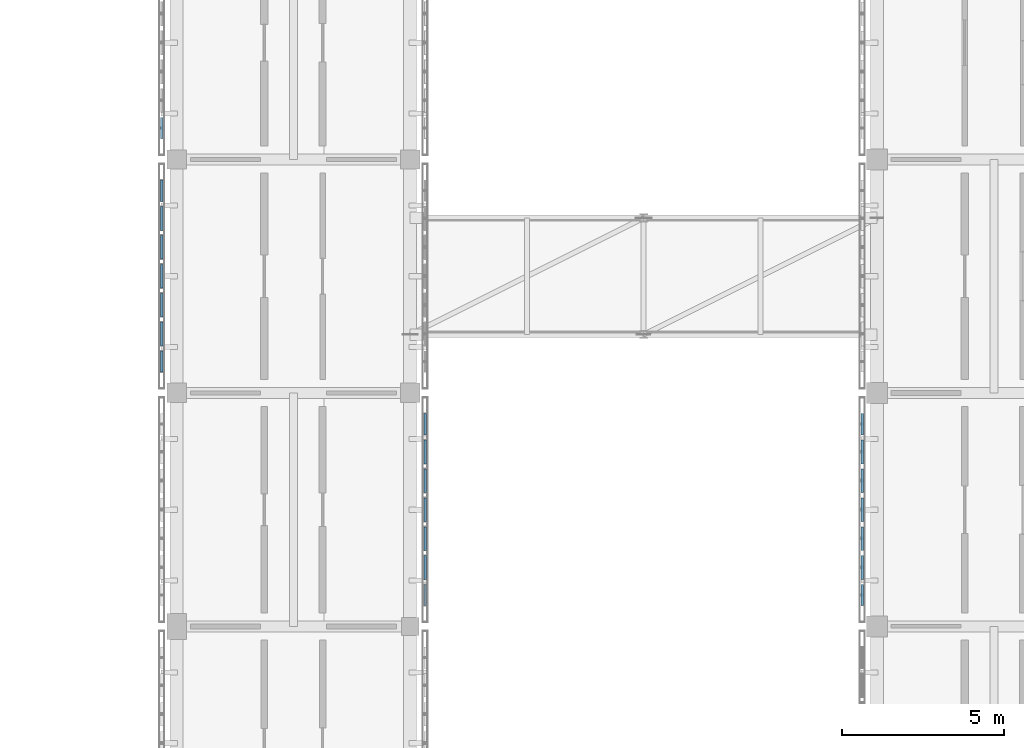
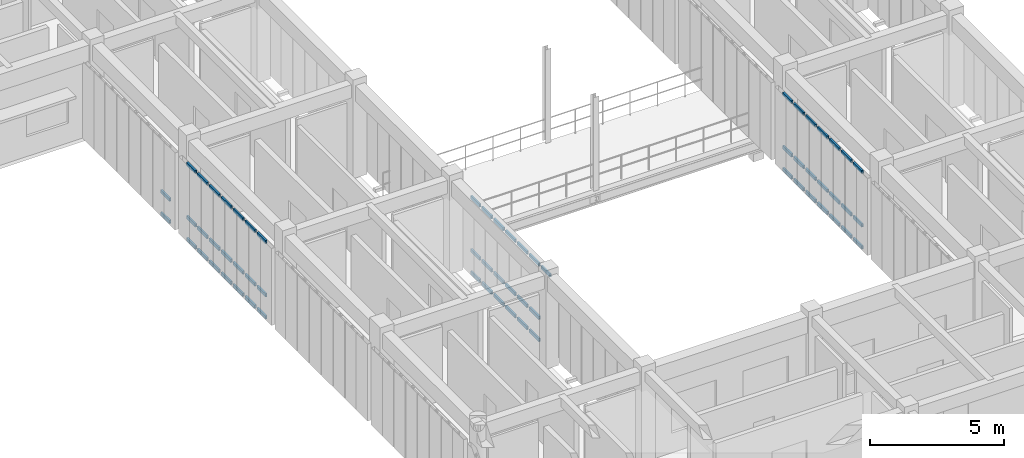
# One storey, part 86 of 171: 63 members, 4 elements without a shape of their own.
"""IFC4 building model written with IfcOpenShell, lengths in metres."""

from ifc_helpers import new_model, si_unit, direction, frame, origin, origin_2d, place, context, subcontext, project, spatial, hollow_rectangle, extrude, material, material_profile, profile_set, type_object, element, aggregate, save


model = new_model("IFC4")

# Units and contexts
model_context = context("Model", 3, precision=1e-05, world=origin(), true_north=direction((0.0, 1.0)))
body_context = subcontext(model_context, "Body", "Model", "MODEL_VIEW")
ifc_project = project(units=[si_unit("LENGTHUNIT", "METRE"), si_unit("AREAUNIT", "SQUARE_METRE"), si_unit("VOLUMEUNIT", "CUBIC_METRE"), si_unit("PLANEANGLEUNIT", "RADIAN"), si_unit("MASSUNIT", "GRAM", prefix="KILO")], contexts=[model_context])

# Site, building, storey
site_placement = place(None, origin())
site = spatial("IfcSite", under=ifc_project, at=site_placement, CompositionType="ELEMENT")
building_placement = place(site_placement, origin())
building = spatial("IfcBuilding", under=site, at=building_placement, Name="Aldebral Square Health Centre", CompositionType="ELEMENT")
storey_placement = place(building_placement, frame((0.0, 0.0, 4.5)))
storey = spatial("IfcBuildingStorey", under=building, at=storey_placement, Name="L01", CompositionType="ELEMENT", Elevation=4.5)

# Curtain wall, members
ifc_material_1 = material(Name="Aluminium and low-E solar glass", Category="aluminium")
curtain_wall_type = type_object("IfcCurtainWallType", Name="CW-FIN-SYS", PredefinedType="USERDEFINED", material=ifc_material_1)
curtain_wall_1_placement = place(storey_placement, origin())
curtain_wall_1 = element("IfcCurtainWall", 1, at=curtain_wall_1_placement, inside=storey, type_object=curtain_wall_type, Name="L01 V5 finned curtain wall L01-V5-19-10-E", ObjectType="SOLAR_CURTAIN_WALL", PredefinedType="USERDEFINED")
ifc_material_2 = material(Name="Anodised aluminium transom", Category="aluminium")
ifc_material_profile = material_profile(ifc_material_2, hollow_rectangle(XDim=0.074951171875, YDim=0.14990234375, WallThickness=0.00390625, at=origin_2d()), Name="CWT 75x150x4")
ifc_profile_set = profile_set([ifc_material_profile], Name="Anodised aluminium transom")
member_type = type_object("IfcMemberType", Name="CWT-STD", PredefinedType="USERDEFINED", material=ifc_profile_set)
member_1_placement = place(storey_placement, frame((144.4599609375, 72.639892578125, 3.482421875), z_axis=(0.0, 1.0, 0.0), x_axis=(-1.0, 0.0, 0.0)))
member_1 = element("IfcMember", 2, at=member_1_placement, type_object=member_type, Name="CW1 transom 1.3", ObjectType="TRANSOM", PredefinedType="USERDEFINED", context=body_context, shape_type="SweptSolid", body=[
    extrude(hollow_rectangle(XDim=0.074951171875, YDim=0.14990234375, WallThickness=0.00390625, at=origin_2d()), origin(), (0.0, 0.0, 1.0), 0.651611328125),
])
member_2_placement = place(storey_placement, frame((144.4599609375, 73.451416015625, 0.03759765625), z_axis=(0.0, 1.0, 0.0), x_axis=(-1.0, 0.0, 0.0)))
member_2 = element("IfcMember", 3, at=member_2_placement, type_object=member_type, Name="CW1 transom 2.1", ObjectType="TRANSOM", PredefinedType="USERDEFINED", context=body_context, shape_type="SweptSolid", body=[
    extrude(hollow_rectangle(XDim=0.074951171875, YDim=0.14990234375, WallThickness=0.00390625, at=origin_2d()), origin(), (0.0, 0.0, 1.0), 0.7314453125),
])
member_3_placement = place(storey_placement, frame((144.4599609375, 73.451416015625, 1.050048828125), z_axis=(0.0, 1.0, 0.0), x_axis=(-1.0, 0.0, 0.0)))
member_3 = element("IfcMember", 4, at=member_3_placement, type_object=member_type, Name="CW1 transom 2.2", ObjectType="TRANSOM", PredefinedType="USERDEFINED", context=body_context, shape_type="SweptSolid", body=[
    extrude(hollow_rectangle(XDim=0.074951171875, YDim=0.14990234375, WallThickness=0.00390625, at=origin_2d()), origin(), (0.0, 0.0, 1.0), 0.7314453125),
])
member_4_placement = place(storey_placement, frame((144.4599609375, 73.451416015625, 3.482421875), z_axis=(0.0, 1.0, 0.0), x_axis=(-1.0, 0.0, 0.0)))
member_4 = element("IfcMember", 5, at=member_4_placement, type_object=member_type, Name="CW1 transom 2.3", ObjectType="TRANSOM", PredefinedType="USERDEFINED", context=body_context, shape_type="SweptSolid", body=[
    extrude(hollow_rectangle(XDim=0.074951171875, YDim=0.14990234375, WallThickness=0.00390625, at=origin_2d()), origin(), (0.0, 0.0, 1.0), 0.7314453125),
])
member_5_placement = place(storey_placement, frame((144.4599609375, 74.3427734375, 0.03759765625), z_axis=(0.0, 1.0, 0.0), x_axis=(-1.0, 0.0, 0.0)))
member_5 = element("IfcMember", 6, at=member_5_placement, type_object=member_type, Name="CW1 transom 3.1", ObjectType="TRANSOM", PredefinedType="USERDEFINED", context=body_context, shape_type="SweptSolid", body=[
    extrude(hollow_rectangle(XDim=0.074951171875, YDim=0.14990234375, WallThickness=0.00390625, at=origin_2d()), origin(), (0.0, 0.0, 1.0), 0.7314453125),
])
member_6_placement = place(storey_placement, frame((144.4599609375, 74.3427734375, 1.050048828125), z_axis=(0.0, 1.0, 0.0), x_axis=(-1.0, 0.0, 0.0)))
member_6 = element("IfcMember", 7, at=member_6_placement, type_object=member_type, Name="CW1 transom 3.2", ObjectType="TRANSOM", PredefinedType="USERDEFINED", context=body_context, shape_type="SweptSolid", body=[
    extrude(hollow_rectangle(XDim=0.074951171875, YDim=0.14990234375, WallThickness=0.00390625, at=origin_2d()), origin(), (0.0, 0.0, 1.0), 0.7314453125),
])
member_7_placement = place(storey_placement, frame((144.4599609375, 74.3427734375, 3.482421875), z_axis=(0.0, 1.0, 0.0), x_axis=(-1.0, 0.0, 0.0)))
member_7 = element("IfcMember", 8, at=member_7_placement, type_object=member_type, Name="CW1 transom 3.3", ObjectType="TRANSOM", PredefinedType="USERDEFINED", context=body_context, shape_type="SweptSolid", body=[
    extrude(hollow_rectangle(XDim=0.074951171875, YDim=0.14990234375, WallThickness=0.00390625, at=origin_2d()), origin(), (0.0, 0.0, 1.0), 0.7314453125),
])
member_8_placement = place(storey_placement, frame((144.4599609375, 75.234375, 0.03759765625), z_axis=(0.0, 1.0, 0.0), x_axis=(-1.0, 0.0, 0.0)))
member_8 = element("IfcMember", 9, at=member_8_placement, type_object=member_type, Name="CW1 transom 4.1", ObjectType="TRANSOM", PredefinedType="USERDEFINED", context=body_context, shape_type="SweptSolid", body=[
    extrude(hollow_rectangle(XDim=0.074951171875, YDim=0.14990234375, WallThickness=0.00390625, at=origin_2d()), origin(), (0.0, 0.0, 1.0), 0.7314453125),
])
member_9_placement = place(storey_placement, frame((144.4599609375, 75.234375, 1.050048828125), z_axis=(0.0, 1.0, 0.0), x_axis=(-1.0, 0.0, 0.0)))
member_9 = element("IfcMember", 10, at=member_9_placement, type_object=member_type, Name="CW1 transom 4.2", ObjectType="TRANSOM", PredefinedType="USERDEFINED", context=body_context, shape_type="SweptSolid", body=[
    extrude(hollow_rectangle(XDim=0.074951171875, YDim=0.14990234375, WallThickness=0.00390625, at=origin_2d()), origin(), (0.0, 0.0, 1.0), 0.7314453125),
])
member_10_placement = place(storey_placement, frame((144.4599609375, 75.234375, 3.482421875), z_axis=(0.0, 1.0, 0.0), x_axis=(-1.0, 0.0, 0.0)))
member_10 = element("IfcMember", 11, at=member_10_placement, type_object=member_type, Name="CW1 transom 4.3", ObjectType="TRANSOM", PredefinedType="USERDEFINED", context=body_context, shape_type="SweptSolid", body=[
    extrude(hollow_rectangle(XDim=0.074951171875, YDim=0.14990234375, WallThickness=0.00390625, at=origin_2d()), origin(), (0.0, 0.0, 1.0), 0.7314453125),
])
member_11_placement = place(storey_placement, frame((144.4599609375, 76.125732421875, 0.03759765625), z_axis=(0.0, 1.0, 0.0), x_axis=(-1.0, 0.0, 0.0)))
member_11 = element("IfcMember", 12, at=member_11_placement, type_object=member_type, Name="CW1 transom 5.1", ObjectType="TRANSOM", PredefinedType="USERDEFINED", context=body_context, shape_type="SweptSolid", body=[
    extrude(hollow_rectangle(XDim=0.074951171875, YDim=0.14990234375, WallThickness=0.00390625, at=origin_2d()), origin(), (0.0, 0.0, 1.0), 0.7314453125),
])
member_12_placement = place(storey_placement, frame((144.4599609375, 76.125732421875, 1.050048828125), z_axis=(0.0, 1.0, 0.0), x_axis=(-1.0, 0.0, 0.0)))
member_12 = element("IfcMember", 13, at=member_12_placement, type_object=member_type, Name="CW1 transom 5.2", ObjectType="TRANSOM", PredefinedType="USERDEFINED", context=body_context, shape_type="SweptSolid", body=[
    extrude(hollow_rectangle(XDim=0.074951171875, YDim=0.14990234375, WallThickness=0.00390625, at=origin_2d()), origin(), (0.0, 0.0, 1.0), 0.7314453125),
])
member_13_placement = place(storey_placement, frame((144.4599609375, 76.125732421875, 3.482421875), z_axis=(0.0, 1.0, 0.0), x_axis=(-1.0, 0.0, 0.0)))
member_13 = element("IfcMember", 14, at=member_13_placement, type_object=member_type, Name="CW1 transom 5.3", ObjectType="TRANSOM", PredefinedType="USERDEFINED", context=body_context, shape_type="SweptSolid", body=[
    extrude(hollow_rectangle(XDim=0.074951171875, YDim=0.14990234375, WallThickness=0.00390625, at=origin_2d()), origin(), (0.0, 0.0, 1.0), 0.7314453125),
])
member_14_placement = place(storey_placement, frame((144.4599609375, 77.01708984375, 0.03759765625), z_axis=(0.0, 1.0, 0.0), x_axis=(-1.0, 0.0, 0.0)))
member_14 = element("IfcMember", 15, at=member_14_placement, type_object=member_type, Name="CW1 transom 6.1", ObjectType="TRANSOM", PredefinedType="USERDEFINED", context=body_context, shape_type="SweptSolid", body=[
    extrude(hollow_rectangle(XDim=0.074951171875, YDim=0.14990234375, WallThickness=0.00390625, at=origin_2d()), origin(), (0.0, 0.0, 1.0), 0.7314453125),
])
member_15_placement = place(storey_placement, frame((144.4599609375, 77.01708984375, 1.050048828125), z_axis=(0.0, 1.0, 0.0), x_axis=(-1.0, 0.0, 0.0)))
member_15 = element("IfcMember", 16, at=member_15_placement, type_object=member_type, Name="CW1 transom 6.2", ObjectType="TRANSOM", PredefinedType="USERDEFINED", context=body_context, shape_type="SweptSolid", body=[
    extrude(hollow_rectangle(XDim=0.074951171875, YDim=0.14990234375, WallThickness=0.00390625, at=origin_2d()), origin(), (0.0, 0.0, 1.0), 0.7314453125),
])
member_16_placement = place(storey_placement, frame((144.4599609375, 77.01708984375, 3.482421875), z_axis=(0.0, 1.0, 0.0), x_axis=(-1.0, 0.0, 0.0)))
member_16 = element("IfcMember", 17, at=member_16_placement, type_object=member_type, Name="CW1 transom 6.3", ObjectType="TRANSOM", PredefinedType="USERDEFINED", context=body_context, shape_type="SweptSolid", body=[
    extrude(hollow_rectangle(XDim=0.074951171875, YDim=0.14990234375, WallThickness=0.00390625, at=origin_2d()), origin(), (0.0, 0.0, 1.0), 0.7314453125),
])
member_17_placement = place(storey_placement, frame((144.4599609375, 77.90869140625, 0.03759765625), z_axis=(0.0, 1.0, 0.0), x_axis=(-1.0, 0.0, 0.0)))
member_17 = element("IfcMember", 18, at=member_17_placement, type_object=member_type, Name="CW1 transom 7.1", ObjectType="TRANSOM", PredefinedType="USERDEFINED", context=body_context, shape_type="SweptSolid", body=[
    extrude(hollow_rectangle(XDim=0.074951171875, YDim=0.14990234375, WallThickness=0.00390625, at=origin_2d()), origin(), (0.0, 0.0, 1.0), 0.6513671875),
])
member_18_placement = place(storey_placement, frame((144.4599609375, 77.90869140625, 1.050048828125), z_axis=(0.0, 1.0, 0.0), x_axis=(-1.0, 0.0, 0.0)))
member_18 = element("IfcMember", 19, at=member_18_placement, type_object=member_type, Name="CW1 transom 7.2", ObjectType="TRANSOM", PredefinedType="USERDEFINED", context=body_context, shape_type="SweptSolid", body=[
    extrude(hollow_rectangle(XDim=0.074951171875, YDim=0.14990234375, WallThickness=0.00390625, at=origin_2d()), origin(), (0.0, 0.0, 1.0), 0.6513671875),
])
member_19_placement = place(storey_placement, frame((144.4599609375, 77.90869140625, 3.482421875), z_axis=(0.0, 1.0, 0.0), x_axis=(-1.0, 0.0, 0.0)))
member_19 = element("IfcMember", 20, at=member_19_placement, type_object=member_type, Name="CW1 transom 7.3", ObjectType="TRANSOM", PredefinedType="USERDEFINED", context=body_context, shape_type="SweptSolid", body=[
    extrude(hollow_rectangle(XDim=0.074951171875, YDim=0.14990234375, WallThickness=0.00390625, at=origin_2d()), origin(), (0.0, 0.0, 1.0), 0.6513671875),
])
aggregate(curtain_wall_1, [member_1, member_2, member_3, member_4, member_5, member_6, member_7, member_8, member_9, member_10, member_11, member_12, member_13, member_14, member_15, member_16, member_17, member_18, member_19])

curtain_wall_2_placement = place(storey_placement, origin())
curtain_wall_2 = element("IfcCurtainWall", 21, at=curtain_wall_2_placement, inside=storey, type_object=curtain_wall_type, Name="L01 V5 finned curtain wall L01-V5-19-11-W", ObjectType="SOLAR_CURTAIN_WALL", PredefinedType="USERDEFINED")
member_20_placement = place(storey_placement, frame((136.340087890625, 85.760009765625, 0.03759765625), z_axis=(0.0, -1.0, 0.0), x_axis=(1.0, 0.0, 0.0)))
member_20 = element("IfcMember", 22, at=member_20_placement, type_object=member_type, Name="CW1 transom 1.1", ObjectType="TRANSOM", PredefinedType="USERDEFINED", context=body_context, shape_type="SweptSolid", body=[
    extrude(hollow_rectangle(XDim=0.074951171875, YDim=0.14990234375, WallThickness=0.00390625, at=origin_2d()), origin(), (0.0, 0.0, 1.0), 0.6513671875),
])
member_21_placement = place(storey_placement, frame((136.340087890625, 85.760009765625, 1.050048828125), z_axis=(0.0, -1.0, 0.0), x_axis=(1.0, 0.0, 0.0)))
member_21 = element("IfcMember", 23, at=member_21_placement, type_object=member_type, Name="CW1 transom 1.2", ObjectType="TRANSOM", PredefinedType="USERDEFINED", context=body_context, shape_type="SweptSolid", body=[
    extrude(hollow_rectangle(XDim=0.074951171875, YDim=0.14990234375, WallThickness=0.00390625, at=origin_2d()), origin(), (0.0, 0.0, 1.0), 0.6513671875),
])
member_22_placement = place(storey_placement, frame((136.340087890625, 85.760009765625, 3.482421875), z_axis=(0.0, -1.0, 0.0), x_axis=(1.0, 0.0, 0.0)))
member_22 = element("IfcMember", 24, at=member_22_placement, type_object=member_type, Name="CW1 transom 1.3", ObjectType="TRANSOM", PredefinedType="USERDEFINED", context=body_context, shape_type="SweptSolid", body=[
    extrude(hollow_rectangle(XDim=0.074951171875, YDim=0.14990234375, WallThickness=0.00390625, at=origin_2d()), origin(), (0.0, 0.0, 1.0), 0.6513671875),
])
member_23_placement = place(storey_placement, frame((136.340087890625, 84.948486328125, 0.03759765625), z_axis=(0.0, -1.0, 0.0), x_axis=(1.0, 0.0, 0.0)))
member_23 = element("IfcMember", 25, at=member_23_placement, type_object=member_type, Name="CW1 transom 2.1", ObjectType="TRANSOM", PredefinedType="USERDEFINED", context=body_context, shape_type="SweptSolid", body=[
    extrude(hollow_rectangle(XDim=0.074951171875, YDim=0.14990234375, WallThickness=0.00390625, at=origin_2d()), origin(), (0.0, 0.0, 1.0), 0.7314453125),
])
member_24_placement = place(storey_placement, frame((136.340087890625, 84.948486328125, 1.050048828125), z_axis=(0.0, -1.0, 0.0), x_axis=(1.0, 0.0, 0.0)))
member_24 = element("IfcMember", 26, at=member_24_placement, type_object=member_type, Name="CW1 transom 2.2", ObjectType="TRANSOM", PredefinedType="USERDEFINED", context=body_context, shape_type="SweptSolid", body=[
    extrude(hollow_rectangle(XDim=0.074951171875, YDim=0.14990234375, WallThickness=0.00390625, at=origin_2d()), origin(), (0.0, 0.0, 1.0), 0.7314453125),
])
member_25_placement = place(storey_placement, frame((136.340087890625, 84.948486328125, 3.482421875), z_axis=(0.0, -1.0, 0.0), x_axis=(1.0, 0.0, 0.0)))
member_25 = element("IfcMember", 27, at=member_25_placement, type_object=member_type, Name="CW1 transom 2.3", ObjectType="TRANSOM", PredefinedType="USERDEFINED", context=body_context, shape_type="SweptSolid", body=[
    extrude(hollow_rectangle(XDim=0.074951171875, YDim=0.14990234375, WallThickness=0.00390625, at=origin_2d()), origin(), (0.0, 0.0, 1.0), 0.7314453125),
])
member_26_placement = place(storey_placement, frame((136.340087890625, 84.05712890625, 0.03759765625), z_axis=(0.0, -1.0, 0.0), x_axis=(1.0, 0.0, 0.0)))
member_26 = element("IfcMember", 28, at=member_26_placement, type_object=member_type, Name="CW1 transom 3.1", ObjectType="TRANSOM", PredefinedType="USERDEFINED", context=body_context, shape_type="SweptSolid", body=[
    extrude(hollow_rectangle(XDim=0.074951171875, YDim=0.14990234375, WallThickness=0.00390625, at=origin_2d()), origin(), (0.0, 0.0, 1.0), 0.7314453125),
])
member_27_placement = place(storey_placement, frame((136.340087890625, 84.05712890625, 1.050048828125), z_axis=(0.0, -1.0, 0.0), x_axis=(1.0, 0.0, 0.0)))
member_27 = element("IfcMember", 29, at=member_27_placement, type_object=member_type, Name="CW1 transom 3.2", ObjectType="TRANSOM", PredefinedType="USERDEFINED", context=body_context, shape_type="SweptSolid", body=[
    extrude(hollow_rectangle(XDim=0.074951171875, YDim=0.14990234375, WallThickness=0.00390625, at=origin_2d()), origin(), (0.0, 0.0, 1.0), 0.7314453125),
])
member_28_placement = place(storey_placement, frame((136.340087890625, 84.05712890625, 3.482421875), z_axis=(0.0, -1.0, 0.0), x_axis=(1.0, 0.0, 0.0)))
member_28 = element("IfcMember", 30, at=member_28_placement, type_object=member_type, Name="CW1 transom 3.3", ObjectType="TRANSOM", PredefinedType="USERDEFINED", context=body_context, shape_type="SweptSolid", body=[
    extrude(hollow_rectangle(XDim=0.074951171875, YDim=0.14990234375, WallThickness=0.00390625, at=origin_2d()), origin(), (0.0, 0.0, 1.0), 0.7314453125),
])
member_29_placement = place(storey_placement, frame((136.340087890625, 83.165771484375, 0.03759765625), z_axis=(0.0, -1.0, 0.0), x_axis=(1.0, 0.0, 0.0)))
member_29 = element("IfcMember", 31, at=member_29_placement, type_object=member_type, Name="CW1 transom 4.1", ObjectType="TRANSOM", PredefinedType="USERDEFINED", context=body_context, shape_type="SweptSolid", body=[
    extrude(hollow_rectangle(XDim=0.074951171875, YDim=0.14990234375, WallThickness=0.00390625, at=origin_2d()), origin(), (0.0, 0.0, 1.0), 0.7314453125),
])
member_30_placement = place(storey_placement, frame((136.340087890625, 83.165771484375, 1.050048828125), z_axis=(0.0, -1.0, 0.0), x_axis=(1.0, 0.0, 0.0)))
member_30 = element("IfcMember", 32, at=member_30_placement, type_object=member_type, Name="CW1 transom 4.2", ObjectType="TRANSOM", PredefinedType="USERDEFINED", context=body_context, shape_type="SweptSolid", body=[
    extrude(hollow_rectangle(XDim=0.074951171875, YDim=0.14990234375, WallThickness=0.00390625, at=origin_2d()), origin(), (0.0, 0.0, 1.0), 0.7314453125),
])
member_31_placement = place(storey_placement, frame((136.340087890625, 83.165771484375, 3.482421875), z_axis=(0.0, -1.0, 0.0), x_axis=(1.0, 0.0, 0.0)))
member_31 = element("IfcMember", 33, at=member_31_placement, type_object=member_type, Name="CW1 transom 4.3", ObjectType="TRANSOM", PredefinedType="USERDEFINED", context=body_context, shape_type="SweptSolid", body=[
    extrude(hollow_rectangle(XDim=0.074951171875, YDim=0.14990234375, WallThickness=0.00390625, at=origin_2d()), origin(), (0.0, 0.0, 1.0), 0.7314453125),
])
member_32_placement = place(storey_placement, frame((136.340087890625, 82.274169921875, 0.03759765625), z_axis=(0.0, -1.0, 0.0), x_axis=(1.0, 0.0, 0.0)))
member_32 = element("IfcMember", 34, at=member_32_placement, type_object=member_type, Name="CW1 transom 5.1", ObjectType="TRANSOM", PredefinedType="USERDEFINED", context=body_context, shape_type="SweptSolid", body=[
    extrude(hollow_rectangle(XDim=0.074951171875, YDim=0.14990234375, WallThickness=0.00390625, at=origin_2d()), origin(), (0.0, 0.0, 1.0), 0.731201171875),
])
member_33_placement = place(storey_placement, frame((136.340087890625, 82.274169921875, 1.050048828125), z_axis=(0.0, -1.0, 0.0), x_axis=(1.0, 0.0, 0.0)))
member_33 = element("IfcMember", 35, at=member_33_placement, type_object=member_type, Name="CW1 transom 5.2", ObjectType="TRANSOM", PredefinedType="USERDEFINED", context=body_context, shape_type="SweptSolid", body=[
    extrude(hollow_rectangle(XDim=0.074951171875, YDim=0.14990234375, WallThickness=0.00390625, at=origin_2d()), origin(), (0.0, 0.0, 1.0), 0.731201171875),
])
member_34_placement = place(storey_placement, frame((136.340087890625, 82.274169921875, 3.482421875), z_axis=(0.0, -1.0, 0.0), x_axis=(1.0, 0.0, 0.0)))
member_34 = element("IfcMember", 36, at=member_34_placement, type_object=member_type, Name="CW1 transom 5.3", ObjectType="TRANSOM", PredefinedType="USERDEFINED", context=body_context, shape_type="SweptSolid", body=[
    extrude(hollow_rectangle(XDim=0.074951171875, YDim=0.14990234375, WallThickness=0.00390625, at=origin_2d()), origin(), (0.0, 0.0, 1.0), 0.731201171875),
])
member_35_placement = place(storey_placement, frame((136.340087890625, 81.3828125, 0.03759765625), z_axis=(0.0, -1.0, 0.0), x_axis=(1.0, 0.0, 0.0)))
member_35 = element("IfcMember", 37, at=member_35_placement, type_object=member_type, Name="CW1 transom 6.1", ObjectType="TRANSOM", PredefinedType="USERDEFINED", context=body_context, shape_type="SweptSolid", body=[
    extrude(hollow_rectangle(XDim=0.074951171875, YDim=0.14990234375, WallThickness=0.00390625, at=origin_2d()), origin(), (0.0, 0.0, 1.0), 0.7314453125),
])
member_36_placement = place(storey_placement, frame((136.340087890625, 81.3828125, 1.050048828125), z_axis=(0.0, -1.0, 0.0), x_axis=(1.0, 0.0, 0.0)))
member_36 = element("IfcMember", 38, at=member_36_placement, type_object=member_type, Name="CW1 transom 6.2", ObjectType="TRANSOM", PredefinedType="USERDEFINED", context=body_context, shape_type="SweptSolid", body=[
    extrude(hollow_rectangle(XDim=0.074951171875, YDim=0.14990234375, WallThickness=0.00390625, at=origin_2d()), origin(), (0.0, 0.0, 1.0), 0.7314453125),
])
member_37_placement = place(storey_placement, frame((136.340087890625, 81.3828125, 3.482421875), z_axis=(0.0, -1.0, 0.0), x_axis=(1.0, 0.0, 0.0)))
member_37 = element("IfcMember", 39, at=member_37_placement, type_object=member_type, Name="CW1 transom 6.3", ObjectType="TRANSOM", PredefinedType="USERDEFINED", context=body_context, shape_type="SweptSolid", body=[
    extrude(hollow_rectangle(XDim=0.074951171875, YDim=0.14990234375, WallThickness=0.00390625, at=origin_2d()), origin(), (0.0, 0.0, 1.0), 0.7314453125),
])
member_38_placement = place(storey_placement, frame((136.340087890625, 80.491455078125, 0.03759765625), z_axis=(0.0, -1.0, 0.0), x_axis=(1.0, 0.0, 0.0)))
member_38 = element("IfcMember", 40, at=member_38_placement, type_object=member_type, Name="CW1 transom 7.1", ObjectType="TRANSOM", PredefinedType="USERDEFINED", context=body_context, shape_type="SweptSolid", body=[
    extrude(hollow_rectangle(XDim=0.074951171875, YDim=0.14990234375, WallThickness=0.00390625, at=origin_2d()), origin(), (0.0, 0.0, 1.0), 0.6513671875),
])
member_39_placement = place(storey_placement, frame((136.340087890625, 80.491455078125, 1.050048828125), z_axis=(0.0, -1.0, 0.0), x_axis=(1.0, 0.0, 0.0)))
member_39 = element("IfcMember", 41, at=member_39_placement, type_object=member_type, Name="CW1 transom 7.2", ObjectType="TRANSOM", PredefinedType="USERDEFINED", context=body_context, shape_type="SweptSolid", body=[
    extrude(hollow_rectangle(XDim=0.074951171875, YDim=0.14990234375, WallThickness=0.00390625, at=origin_2d()), origin(), (0.0, 0.0, 1.0), 0.6513671875),
])
member_40_placement = place(storey_placement, frame((136.340087890625, 80.491455078125, 3.482421875), z_axis=(0.0, -1.0, 0.0), x_axis=(1.0, 0.0, 0.0)))
member_40 = element("IfcMember", 42, at=member_40_placement, type_object=member_type, Name="CW1 transom 7.3", ObjectType="TRANSOM", PredefinedType="USERDEFINED", context=body_context, shape_type="SweptSolid", body=[
    extrude(hollow_rectangle(XDim=0.074951171875, YDim=0.14990234375, WallThickness=0.00390625, at=origin_2d()), origin(), (0.0, 0.0, 1.0), 0.6513671875),
])
aggregate(curtain_wall_2, [member_20, member_21, member_22, member_23, member_24, member_25, member_26, member_27, member_28, member_29, member_30, member_31, member_32, member_33, member_34, member_35, member_36, member_37, member_38, member_39, member_40])

curtain_wall_3_placement = place(storey_placement, origin())
curtain_wall_3 = element("IfcCurtainWall", 43, at=curtain_wall_3_placement, inside=storey, type_object=curtain_wall_type, Name="L01 V5 finned curtain wall L01-V5-19-12-W", ObjectType="SOLAR_CURTAIN_WALL", PredefinedType="USERDEFINED")
member_41_placement = place(storey_placement, frame((136.340087890625, 87.69140625, 0.03759765625), z_axis=(0.0, -1.0, 0.0), x_axis=(1.0, 0.0, 0.0)))
member_41 = element("IfcMember", 44, at=member_41_placement, type_object=member_type, Name="CW1 transom 7.1", ObjectType="TRANSOM", PredefinedType="USERDEFINED", context=body_context, shape_type="SweptSolid", body=[
    extrude(hollow_rectangle(XDim=0.074951171875, YDim=0.14990234375, WallThickness=0.00390625, at=origin_2d()), origin(), (0.0, 0.0, 1.0), 0.6513671875),
])
member_42_placement = place(storey_placement, frame((136.340087890625, 87.69140625, 1.050048828125), z_axis=(0.0, -1.0, 0.0), x_axis=(1.0, 0.0, 0.0)))
member_42 = element("IfcMember", 45, at=member_42_placement, type_object=member_type, Name="CW1 transom 7.2", ObjectType="TRANSOM", PredefinedType="USERDEFINED", context=body_context, shape_type="SweptSolid", body=[
    extrude(hollow_rectangle(XDim=0.074951171875, YDim=0.14990234375, WallThickness=0.00390625, at=origin_2d()), origin(), (0.0, 0.0, 1.0), 0.6513671875),
])
aggregate(curtain_wall_3, [member_41, member_42])

curtain_wall_4_placement = place(storey_placement, origin())
curtain_wall_4 = element("IfcCurtainWall", 46, at=curtain_wall_4_placement, inside=storey, type_object=curtain_wall_type, Name="L01 V5 finned curtain wall L01-V5-22-10-W", ObjectType="SOLAR_CURTAIN_WALL", PredefinedType="USERDEFINED")
member_43_placement = place(storey_placement, frame((157.93994140625, 78.56005859375, 0.03759765625), z_axis=(0.0, -1.0, 0.0), x_axis=(1.0, 0.0, 0.0)))
member_43 = element("IfcMember", 47, at=member_43_placement, type_object=member_type, Name="CW1 transom 1.1", ObjectType="TRANSOM", PredefinedType="USERDEFINED", context=body_context, shape_type="SweptSolid", body=[
    extrude(hollow_rectangle(XDim=0.074951171875, YDim=0.14990234375, WallThickness=0.00390625, at=origin_2d()), origin(), (0.0, 0.0, 1.0), 0.6513671875),
])
member_44_placement = place(storey_placement, frame((157.93994140625, 78.56005859375, 1.050048828125), z_axis=(0.0, -1.0, 0.0), x_axis=(1.0, 0.0, 0.0)))
member_44 = element("IfcMember", 48, at=member_44_placement, type_object=member_type, Name="CW1 transom 1.2", ObjectType="TRANSOM", PredefinedType="USERDEFINED", context=body_context, shape_type="SweptSolid", body=[
    extrude(hollow_rectangle(XDim=0.074951171875, YDim=0.14990234375, WallThickness=0.00390625, at=origin_2d()), origin(), (0.0, 0.0, 1.0), 0.6513671875),
])
member_45_placement = place(storey_placement, frame((157.93994140625, 78.56005859375, 3.482421875), z_axis=(0.0, -1.0, 0.0), x_axis=(1.0, 0.0, 0.0)))
member_45 = element("IfcMember", 49, at=member_45_placement, type_object=member_type, Name="CW1 transom 1.3", ObjectType="TRANSOM", PredefinedType="USERDEFINED", context=body_context, shape_type="SweptSolid", body=[
    extrude(hollow_rectangle(XDim=0.074951171875, YDim=0.14990234375, WallThickness=0.00390625, at=origin_2d()), origin(), (0.0, 0.0, 1.0), 0.6513671875),
])
member_46_placement = place(storey_placement, frame((157.93994140625, 77.74853515625, 0.03759765625), z_axis=(0.0, -1.0, 0.0), x_axis=(1.0, 0.0, 0.0)))
member_46 = element("IfcMember", 50, at=member_46_placement, type_object=member_type, Name="CW1 transom 2.1", ObjectType="TRANSOM", PredefinedType="USERDEFINED", context=body_context, shape_type="SweptSolid", body=[
    extrude(hollow_rectangle(XDim=0.074951171875, YDim=0.14990234375, WallThickness=0.00390625, at=origin_2d()), origin(), (0.0, 0.0, 1.0), 0.7314453125),
])
member_47_placement = place(storey_placement, frame((157.93994140625, 77.74853515625, 1.050048828125), z_axis=(0.0, -1.0, 0.0), x_axis=(1.0, 0.0, 0.0)))
member_47 = element("IfcMember", 51, at=member_47_placement, type_object=member_type, Name="CW1 transom 2.2", ObjectType="TRANSOM", PredefinedType="USERDEFINED", context=body_context, shape_type="SweptSolid", body=[
    extrude(hollow_rectangle(XDim=0.074951171875, YDim=0.14990234375, WallThickness=0.00390625, at=origin_2d()), origin(), (0.0, 0.0, 1.0), 0.7314453125),
])
member_48_placement = place(storey_placement, frame((157.93994140625, 77.74853515625, 3.482421875), z_axis=(0.0, -1.0, 0.0), x_axis=(1.0, 0.0, 0.0)))
member_48 = element("IfcMember", 52, at=member_48_placement, type_object=member_type, Name="CW1 transom 2.3", ObjectType="TRANSOM", PredefinedType="USERDEFINED", context=body_context, shape_type="SweptSolid", body=[
    extrude(hollow_rectangle(XDim=0.074951171875, YDim=0.14990234375, WallThickness=0.00390625, at=origin_2d()), origin(), (0.0, 0.0, 1.0), 0.7314453125),
])
member_49_placement = place(storey_placement, frame((157.93994140625, 76.857177734375, 0.03759765625), z_axis=(0.0, -1.0, 0.0), x_axis=(1.0, 0.0, 0.0)))
member_49 = element("IfcMember", 53, at=member_49_placement, type_object=member_type, Name="CW1 transom 3.1", ObjectType="TRANSOM", PredefinedType="USERDEFINED", context=body_context, shape_type="SweptSolid", body=[
    extrude(hollow_rectangle(XDim=0.074951171875, YDim=0.14990234375, WallThickness=0.00390625, at=origin_2d()), origin(), (0.0, 0.0, 1.0), 0.7314453125),
])
member_50_placement = place(storey_placement, frame((157.93994140625, 76.857177734375, 1.050048828125), z_axis=(0.0, -1.0, 0.0), x_axis=(1.0, 0.0, 0.0)))
member_50 = element("IfcMember", 54, at=member_50_placement, type_object=member_type, Name="CW1 transom 3.2", ObjectType="TRANSOM", PredefinedType="USERDEFINED", context=body_context, shape_type="SweptSolid", body=[
    extrude(hollow_rectangle(XDim=0.074951171875, YDim=0.14990234375, WallThickness=0.00390625, at=origin_2d()), origin(), (0.0, 0.0, 1.0), 0.7314453125),
])
member_51_placement = place(storey_placement, frame((157.93994140625, 76.857177734375, 3.482421875), z_axis=(0.0, -1.0, 0.0), x_axis=(1.0, 0.0, 0.0)))
member_51 = element("IfcMember", 55, at=member_51_placement, type_object=member_type, Name="CW1 transom 3.3", ObjectType="TRANSOM", PredefinedType="USERDEFINED", context=body_context, shape_type="SweptSolid", body=[
    extrude(hollow_rectangle(XDim=0.074951171875, YDim=0.14990234375, WallThickness=0.00390625, at=origin_2d()), origin(), (0.0, 0.0, 1.0), 0.7314453125),
])
member_52_placement = place(storey_placement, frame((157.93994140625, 75.9658203125, 0.03759765625), z_axis=(0.0, -1.0, 0.0), x_axis=(1.0, 0.0, 0.0)))
member_52 = element("IfcMember", 56, at=member_52_placement, type_object=member_type, Name="CW1 transom 4.1", ObjectType="TRANSOM", PredefinedType="USERDEFINED", context=body_context, shape_type="SweptSolid", body=[
    extrude(hollow_rectangle(XDim=0.074951171875, YDim=0.14990234375, WallThickness=0.00390625, at=origin_2d()), origin(), (0.0, 0.0, 1.0), 0.7314453125),
])
member_53_placement = place(storey_placement, frame((157.93994140625, 75.9658203125, 1.050048828125), z_axis=(0.0, -1.0, 0.0), x_axis=(1.0, 0.0, 0.0)))
member_53 = element("IfcMember", 57, at=member_53_placement, type_object=member_type, Name="CW1 transom 4.2", ObjectType="TRANSOM", PredefinedType="USERDEFINED", context=body_context, shape_type="SweptSolid", body=[
    extrude(hollow_rectangle(XDim=0.074951171875, YDim=0.14990234375, WallThickness=0.00390625, at=origin_2d()), origin(), (0.0, 0.0, 1.0), 0.7314453125),
])
member_54_placement = place(storey_placement, frame((157.93994140625, 75.9658203125, 3.482421875), z_axis=(0.0, -1.0, 0.0), x_axis=(1.0, 0.0, 0.0)))
member_54 = element("IfcMember", 58, at=member_54_placement, type_object=member_type, Name="CW1 transom 4.3", ObjectType="TRANSOM", PredefinedType="USERDEFINED", context=body_context, shape_type="SweptSolid", body=[
    extrude(hollow_rectangle(XDim=0.074951171875, YDim=0.14990234375, WallThickness=0.00390625, at=origin_2d()), origin(), (0.0, 0.0, 1.0), 0.7314453125),
])
member_55_placement = place(storey_placement, frame((157.93994140625, 75.07421875, 0.03759765625), z_axis=(0.0, -1.0, 0.0), x_axis=(1.0, 0.0, 0.0)))
member_55 = element("IfcMember", 59, at=member_55_placement, type_object=member_type, Name="CW1 transom 5.1", ObjectType="TRANSOM", PredefinedType="USERDEFINED", context=body_context, shape_type="SweptSolid", body=[
    extrude(hollow_rectangle(XDim=0.074951171875, YDim=0.14990234375, WallThickness=0.00390625, at=origin_2d()), origin(), (0.0, 0.0, 1.0), 0.7314453125),
])
member_56_placement = place(storey_placement, frame((157.93994140625, 75.07421875, 1.050048828125), z_axis=(0.0, -1.0, 0.0), x_axis=(1.0, 0.0, 0.0)))
member_56 = element("IfcMember", 60, at=member_56_placement, type_object=member_type, Name="CW1 transom 5.2", ObjectType="TRANSOM", PredefinedType="USERDEFINED", context=body_context, shape_type="SweptSolid", body=[
    extrude(hollow_rectangle(XDim=0.074951171875, YDim=0.14990234375, WallThickness=0.00390625, at=origin_2d()), origin(), (0.0, 0.0, 1.0), 0.7314453125),
])
member_57_placement = place(storey_placement, frame((157.93994140625, 75.07421875, 3.482421875), z_axis=(0.0, -1.0, 0.0), x_axis=(1.0, 0.0, 0.0)))
member_57 = element("IfcMember", 61, at=member_57_placement, type_object=member_type, Name="CW1 transom 5.3", ObjectType="TRANSOM", PredefinedType="USERDEFINED", context=body_context, shape_type="SweptSolid", body=[
    extrude(hollow_rectangle(XDim=0.074951171875, YDim=0.14990234375, WallThickness=0.00390625, at=origin_2d()), origin(), (0.0, 0.0, 1.0), 0.7314453125),
])
member_58_placement = place(storey_placement, frame((157.93994140625, 74.182861328125, 0.03759765625), z_axis=(0.0, -1.0, 0.0), x_axis=(1.0, 0.0, 0.0)))
member_58 = element("IfcMember", 62, at=member_58_placement, type_object=member_type, Name="CW1 transom 6.1", ObjectType="TRANSOM", PredefinedType="USERDEFINED", context=body_context, shape_type="SweptSolid", body=[
    extrude(hollow_rectangle(XDim=0.074951171875, YDim=0.14990234375, WallThickness=0.00390625, at=origin_2d()), origin(), (0.0, 0.0, 1.0), 0.7314453125),
])
member_59_placement = place(storey_placement, frame((157.93994140625, 74.182861328125, 1.050048828125), z_axis=(0.0, -1.0, 0.0), x_axis=(1.0, 0.0, 0.0)))
member_59 = element("IfcMember", 63, at=member_59_placement, type_object=member_type, Name="CW1 transom 6.2", ObjectType="TRANSOM", PredefinedType="USERDEFINED", context=body_context, shape_type="SweptSolid", body=[
    extrude(hollow_rectangle(XDim=0.074951171875, YDim=0.14990234375, WallThickness=0.00390625, at=origin_2d()), origin(), (0.0, 0.0, 1.0), 0.7314453125),
])
member_60_placement = place(storey_placement, frame((157.93994140625, 74.182861328125, 3.482421875), z_axis=(0.0, -1.0, 0.0), x_axis=(1.0, 0.0, 0.0)))
member_60 = element("IfcMember", 64, at=member_60_placement, type_object=member_type, Name="CW1 transom 6.3", ObjectType="TRANSOM", PredefinedType="USERDEFINED", context=body_context, shape_type="SweptSolid", body=[
    extrude(hollow_rectangle(XDim=0.074951171875, YDim=0.14990234375, WallThickness=0.00390625, at=origin_2d()), origin(), (0.0, 0.0, 1.0), 0.7314453125),
])
member_61_placement = place(storey_placement, frame((157.93994140625, 73.29150390625, 0.03759765625), z_axis=(0.0, -1.0, 0.0), x_axis=(1.0, 0.0, 0.0)))
member_61 = element("IfcMember", 65, at=member_61_placement, type_object=member_type, Name="CW1 transom 7.1", ObjectType="TRANSOM", PredefinedType="USERDEFINED", context=body_context, shape_type="SweptSolid", body=[
    extrude(hollow_rectangle(XDim=0.074951171875, YDim=0.14990234375, WallThickness=0.00390625, at=origin_2d()), origin(), (0.0, 0.0, 1.0), 0.651611328125),
])
member_62_placement = place(storey_placement, frame((157.93994140625, 73.29150390625, 1.050048828125), z_axis=(0.0, -1.0, 0.0), x_axis=(1.0, 0.0, 0.0)))
member_62 = element("IfcMember", 66, at=member_62_placement, type_object=member_type, Name="CW1 transom 7.2", ObjectType="TRANSOM", PredefinedType="USERDEFINED", context=body_context, shape_type="SweptSolid", body=[
    extrude(hollow_rectangle(XDim=0.074951171875, YDim=0.14990234375, WallThickness=0.00390625, at=origin_2d()), origin(), (0.0, 0.0, 1.0), 0.651611328125),
])
member_63_placement = place(storey_placement, frame((157.93994140625, 73.29150390625, 3.482421875), z_axis=(0.0, -1.0, 0.0), x_axis=(1.0, 0.0, 0.0)))
member_63 = element("IfcMember", 67, at=member_63_placement, type_object=member_type, Name="CW1 transom 7.3", ObjectType="TRANSOM", PredefinedType="USERDEFINED", context=body_context, shape_type="SweptSolid", body=[
    extrude(hollow_rectangle(XDim=0.074951171875, YDim=0.14990234375, WallThickness=0.00390625, at=origin_2d()), origin(), (0.0, 0.0, 1.0), 0.651611328125),
])
aggregate(curtain_wall_4, [member_43, member_44, member_45, member_46, member_47, member_48, member_49, member_50, member_51, member_52, member_53, member_54, member_55, member_56, member_57, member_58, member_59, member_60, member_61, member_62, member_63])

save(model, "model.ifc")
